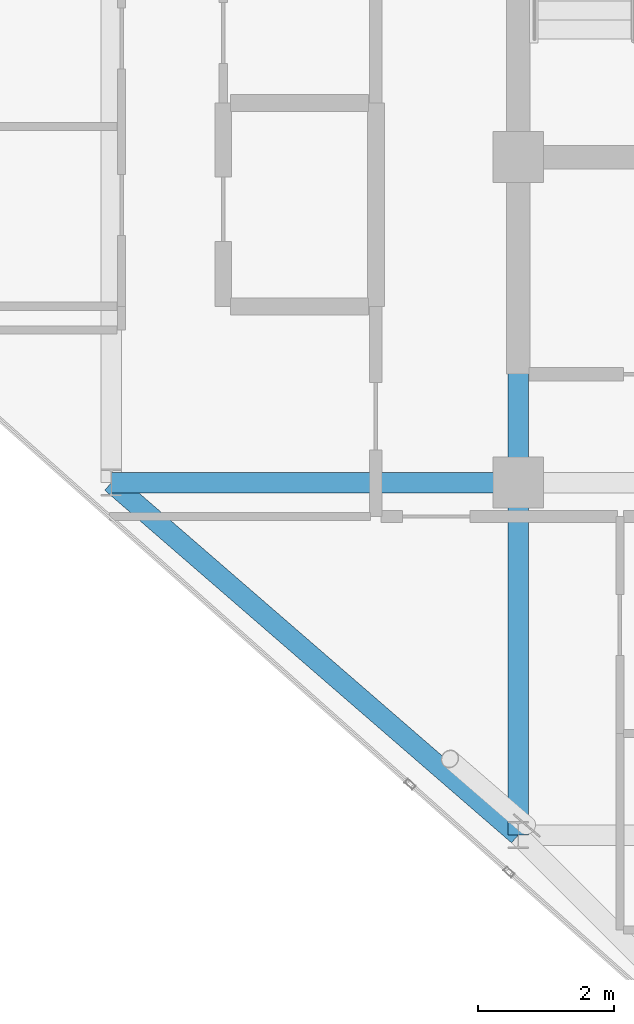
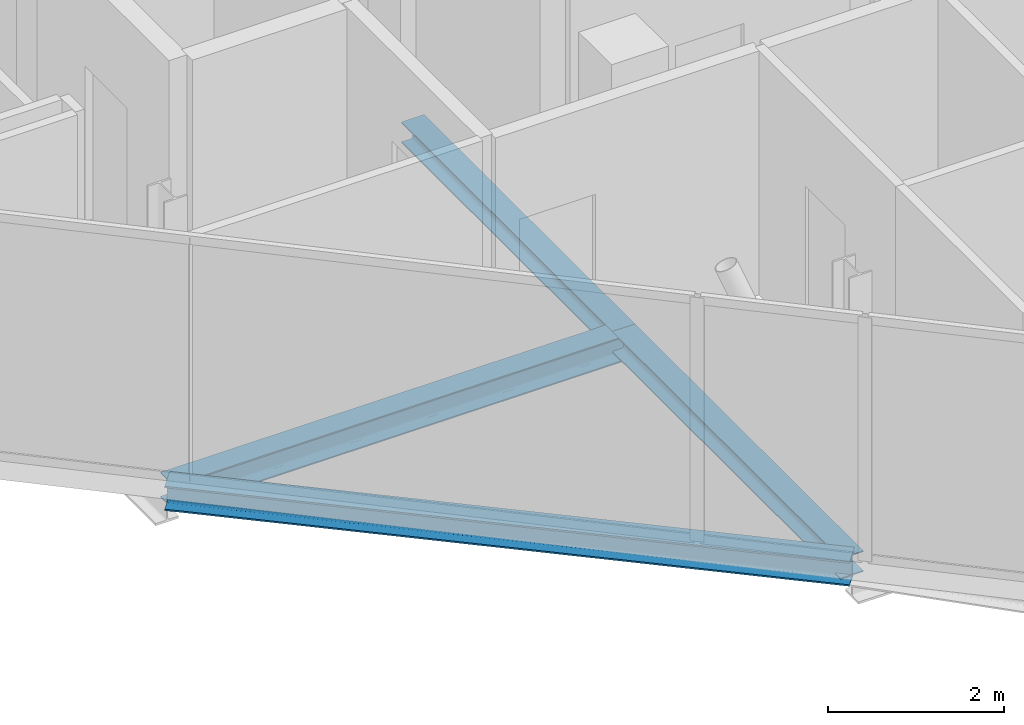
# One storey, part 5 of 27: 4 beams.
"""IFC4 building model written with IfcOpenShell, lengths in metres."""

from ifc_helpers import new_model, si_unit, direction, frame, origin, origin_2d, place, context, subcontext, project, spatial, i_section, extrude, material, material_profile, profile_set, type_object, element, save


model = new_model("IFC4")

# Units and contexts
model_context = context("Model", 3, precision=1e-05, world=origin(), true_north=direction((0.0, 1.0)))
body_context = subcontext(model_context, "Body", "Model", "MODEL_VIEW")
ifc_project = project(units=[si_unit("LENGTHUNIT", "METRE"), si_unit("AREAUNIT", "SQUARE_METRE"), si_unit("VOLUMEUNIT", "CUBIC_METRE"), si_unit("PLANEANGLEUNIT", "RADIAN"), si_unit("MASSUNIT", "GRAM", prefix="KILO")], contexts=[model_context])

# Site, building, storey
site_placement = place(None, origin())
site = spatial("IfcSite", under=ifc_project, at=site_placement, CompositionType="ELEMENT")
building_placement = place(site_placement, origin())
building = spatial("IfcBuilding", under=site, at=building_placement, Name="Keshet Zoharim Tower", CompositionType="ELEMENT")
storey_placement = place(building_placement, frame((0.0, 0.0, 247.300048828125)))
storey = spatial("IfcBuildingStorey", under=building, at=storey_placement, Name="L61", CompositionType="ELEMENT", Elevation=247.300048828125)

# Beams
ifc_material = material(Name="Steel S355", Category="steel")
ifc_material_profile_1 = material_profile(ifc_material, i_section(OverallWidth=0.300048828125, OverallDepth=0.2900390625, WebThickness=0.008544921875, FlangeThickness=0.013916015625, FilletRadius=0.027099609375, at=origin_2d()), Name="HEA300")
ifc_profile_set_1 = profile_set([ifc_material_profile_1], Name="Steel S355")
beam_type_1 = type_object("IfcBeamType", Name="BM-PRI-HA300", PredefinedType="BEAM", material=ifc_profile_set_1)
beam_1_placement = place(storey_placement, frame((15.0, 12.699951171875, -0.455078125), z_axis=(0.0, 1.0, 0.0), x_axis=(-1.0, 0.0, 0.0)))
element("IfcBeam", 1, at=beam_1_placement, inside=storey, type_object=beam_type_1, Name="L61 Primary Girder Y-002", PredefinedType="BEAM", context=body_context, shape_type="SweptSolid", body=[
    extrude(i_section(OverallWidth=0.300048828125, OverallDepth=0.2900390625, WebThickness=0.008544921875, FlangeThickness=0.013916015625, FilletRadius=0.027099609375, at=origin_2d()), origin(), (0.0, 0.0, 1.0), 5.199951171875),
])
beam_2_placement = place(storey_placement, frame((15.0, 17.89990234375, -0.455078125), z_axis=(0.0, 1.0, 0.0), x_axis=(-1.0, 0.0, 0.0)))
element("IfcBeam", 2, at=beam_2_placement, inside=storey, type_object=beam_type_1, Name="L61 Primary Girder Y-003", PredefinedType="BEAM", context=body_context, shape_type="SweptSolid", body=[
    extrude(i_section(OverallWidth=0.300048828125, OverallDepth=0.2900390625, WebThickness=0.008544921875, FlangeThickness=0.013916015625, FilletRadius=0.027099609375, at=origin_2d()), origin(), (0.0, 0.0, 1.0), 4.800048828125),
])
ifc_material_profile_2 = material_profile(ifc_material, i_section(OverallWidth=0.300048828125, OverallDepth=0.35009765625, WebThickness=0.010009765625, FlangeThickness=0.017578125, FilletRadius=0.027099609375, at=origin_2d()), Name="HEA360")
ifc_profile_set_2 = profile_set([ifc_material_profile_2], Name="Steel S355")
beam_type_2 = type_object("IfcBeamType", Name="BM-PRI-HA360", PredefinedType="BEAM", material=ifc_profile_set_2)
beam_3_placement = place(storey_placement, frame((9.0, 17.89990234375, -0.485107421875), z_axis=(1.0, 0.0, 0.0), x_axis=(0.0, 1.0, 0.0)))
element("IfcBeam", 3, at=beam_3_placement, inside=storey, type_object=beam_type_2, Name="L61 Primary Girder X-005", PredefinedType="BEAM", context=body_context, shape_type="SweptSolid", body=[
    extrude(i_section(OverallWidth=0.300048828125, OverallDepth=0.35009765625, WebThickness=0.010009765625, FlangeThickness=0.017578125, FilletRadius=0.027099609375, at=origin_2d()), origin(), (0.0, 0.0, 1.0), 6.0),
])
ifc_material_profile_3 = material_profile(ifc_material, i_section(OverallWidth=0.300048828125, OverallDepth=0.340087890625, WebThickness=0.011962890625, FlangeThickness=0.021484375, FilletRadius=0.027099609375, at=origin_2d()), Name="HEB340")
ifc_profile_set_3 = profile_set([ifc_material_profile_3], Name="Steel S355")
beam_type_3 = type_object("IfcBeamType", Name="BM-SPN-HB340", PredefinedType="SPANDREL", material=ifc_profile_set_3)
beam_4_placement = place(storey_placement, frame((9.0, 17.89990234375, -0.47998046875), z_axis=(0.755692126483, -0.654927026447, 0.0), x_axis=(0.654927026447, 0.755692126483, 0.0)))
element("IfcBeam", 4, at=beam_4_placement, inside=storey, type_object=beam_type_3, Name="L61 Perimeter Spandrel Beam 02", PredefinedType="SPANDREL", context=body_context, shape_type="SweptSolid", body=[
    extrude(i_section(OverallWidth=0.300048828125, OverallDepth=0.340087890625, WebThickness=0.011962890625, FlangeThickness=0.021484375, FilletRadius=0.027099609375, at=origin_2d()), origin(), (0.0, 0.0, 1.0), 7.939697265625),
])

save(model, "model.ifc")
